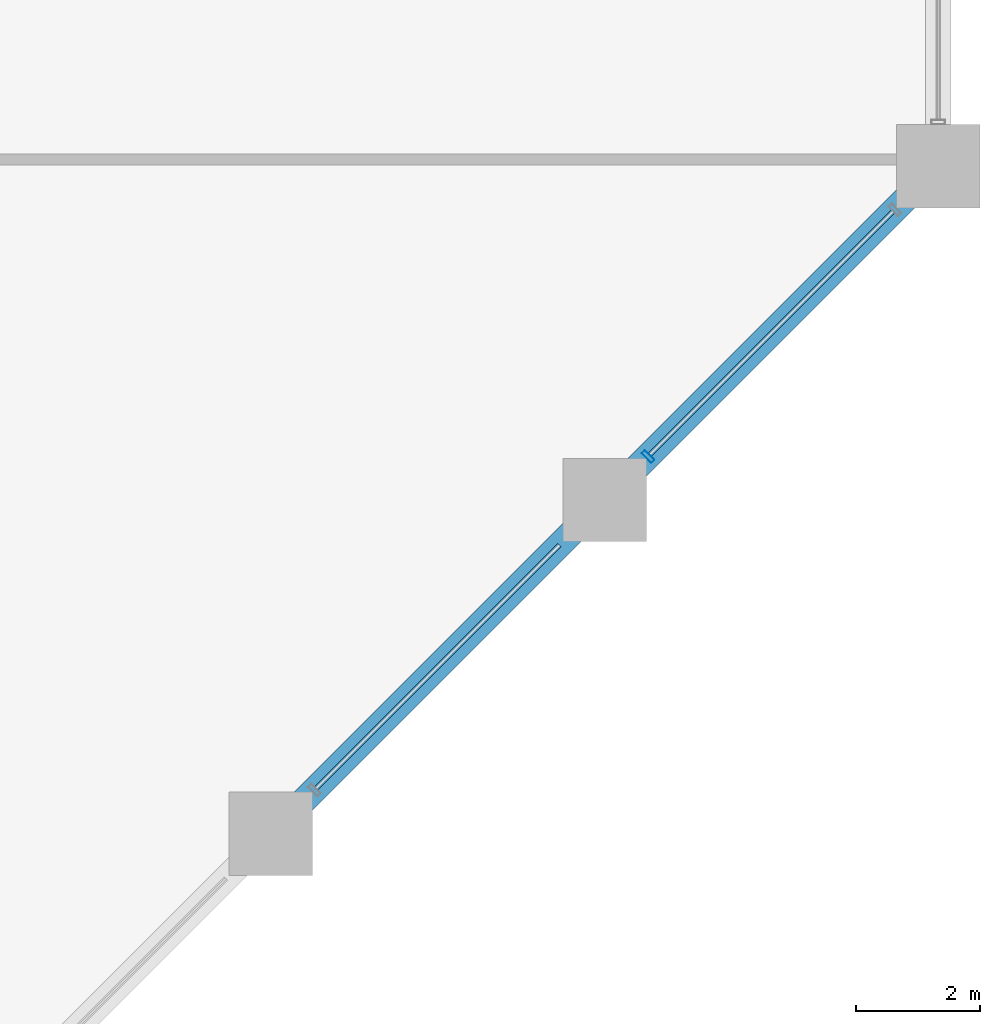
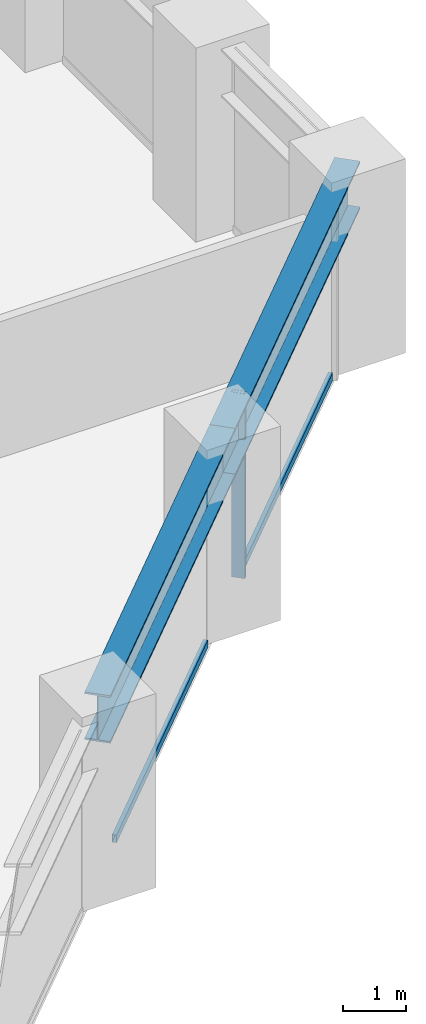
# One storey, part 9 of 25: 3 members, 2 beams, 1 element without a shape of its own.
"""IFC4 building model written with IfcOpenShell, lengths in metres."""

import ifcopenshell
import ifcopenshell.guid

model = None  # the IFC model being written
_history = None  # IfcOwnerHistory: only IFC2X3 demands one
_inside = {}  # id of a spatial element -> (the spatial element, [elements in it])
_under = {}  # id of a project, library or spatial element -> (it, [spatial elements below it])
_declared = {}  # id of a project -> (the project, [libraries it declares])
_typed = {}  # id of a type object -> (the type object, [elements of that type])
_made_of = {}  # id of a material, layer set ... -> (it, [elements and type objects made of it])


def new_model(schema):
    """Start an empty IFC model of exactly this schema.

    Asked for "IFC4X3", IfcOpenShell would pick the latest addendum, in which some entities
    have other attributes; the version numbers below select the first issue.
    IFC2X3 requires an IfcOwnerHistory on every rooted entity: one is made here for all.
    """
    global model, _history
    if schema == "IFC4X3":
        model = ifcopenshell.file(schema_version=(4, 3, 0, 0))
    else:
        model = ifcopenshell.file(schema=schema)
    _inside.clear()
    _under.clear()
    _declared.clear()
    _typed.clear()
    _made_of.clear()
    _history = None
    if model.schema == "IFC2X3":
        org = make("IfcOrganization", Name="unknown")
        user = make(
            "IfcPersonAndOrganization",
            ThePerson=make("IfcPerson", FamilyName="unknown"),
            TheOrganization=org,
        )
        app = make(
            "IfcApplication",
            ApplicationDeveloper=org,
            Version="unknown",
            ApplicationFullName="unknown",
            ApplicationIdentifier="unknown",
        )
        _history = make(
            "IfcOwnerHistory",
            OwningUser=user,
            OwningApplication=app,
            ChangeAction="ADDED",
            CreationDate=0,
        )
    return model


def make(cls, **values):
    """One entity of the class cls with the attributes given. An attribute that is None is left unset."""
    return model.create_entity(
        cls, **{name: value for name, value in values.items() if value is not None}
    )


def rooted(cls, **values):
    """An entity with a GlobalId (a new one), such as an element, a storey or a relation."""
    return make(cls, GlobalId=ifcopenshell.guid.new(), OwnerHistory=_history, **values)


def si_unit(unit_type, name, prefix=None):
    """IfcSIUnit, for example si_unit("LENGTHUNIT", "METRE", prefix="MILLI")."""
    return make("IfcSIUnit", UnitType=unit_type, Prefix=prefix, Name=name)


def assignment(units):
    """IfcUnitAssignment: the units of a project."""
    return None if units is None else make("IfcUnitAssignment", Units=units)


def point(xyz):
    """IfcCartesianPoint."""
    return None if xyz is None else make("IfcCartesianPoint", Coordinates=xyz)


def direction(xyz):
    """IfcDirection."""
    return None if xyz is None else make("IfcDirection", DirectionRatios=xyz)


def frame(location, z_axis=None, x_axis=None):
    """IfcAxis2Placement3D, a coordinate frame: its origin and axes. An axis left out is left unset."""
    return make(
        "IfcAxis2Placement3D",
        Location=point(location),
        Axis=direction(z_axis),
        RefDirection=direction(x_axis),
    )


def frame_2d(location, x_axis=None):
    """IfcAxis2Placement2D, a coordinate frame in the plane: its origin and x axis."""
    return make(
        "IfcAxis2Placement2D", Location=point(location), RefDirection=direction(x_axis)
    )


def origin():
    """The frame at (0, 0, 0) with its axes left unset."""
    return frame((0.0, 0.0, 0.0))


def origin_2d():
    """The frame at (0, 0) in the plane with its x axis left unset."""
    return frame_2d((0.0, 0.0))


def place(relative_to, where):
    """IfcLocalPlacement: puts the frame where relative to a parent placement (None: the world)."""
    return make(
        "IfcLocalPlacement", PlacementRelTo=relative_to, RelativePlacement=where
    )


def context(
    kind, dimensions, precision=None, world=None, true_north=None, identifier=None
):
    """IfcGeometricRepresentationContext, for example the 3D "Model" context."""
    return make(
        "IfcGeometricRepresentationContext",
        ContextIdentifier=identifier,
        ContextType=kind,
        CoordinateSpaceDimension=dimensions,
        Precision=precision,
        WorldCoordinateSystem=world,
        TrueNorth=true_north,
    )


def subcontext(parent, identifier, kind, view, scale=None):
    """IfcGeometricRepresentationSubContext, for example "Body" below "Model"."""
    return make(
        "IfcGeometricRepresentationSubContext",
        ContextIdentifier=identifier,
        ContextType=kind,
        ParentContext=parent,
        TargetScale=scale,
        TargetView=view,
    )


def project(units=None, contexts=None):
    """IfcProject with its units and contexts."""
    return rooted(
        "IfcProject",
        Name="project",
        RepresentationContexts=contexts,
        UnitsInContext=assignment(units),
    )


def spatial(cls, under=None, at=None, **own):
    """A site, building, storey or space (cls), placed at a placement, below another one or the project."""
    s = rooted(cls, ObjectPlacement=at, **own)
    if under is not None:
        _under.setdefault(under.id(), (under, []))[1].append(s)
    return s


def profile(cls, at=None, kind="AREA", **sizes):
    """A parametric profile (cls). Its sizes go by their IFC names, for example OverallWidth=200.0."""
    return make(cls, ProfileType=kind, Position=at, **sizes)


def hollow_rectangle(**sizes):
    """IfcRectangleHollowProfileDef."""
    return profile("IfcRectangleHollowProfileDef", **sizes)


def i_section(**sizes):
    """IfcIShapeProfileDef."""
    return profile("IfcIShapeProfileDef", **sizes)


def extrude(swept, where, along, depth):
    """IfcExtrudedAreaSolid: the profile swept, set in the frame where, extruded along a direction by depth."""
    return make(
        "IfcExtrudedAreaSolid",
        SweptArea=swept,
        Position=where,
        ExtrudedDirection=direction(along),
        Depth=depth,
    )


def shape(context_of_items, identifier, shape_type, items):
    """IfcShapeRepresentation: the items that make up one representation, for example the "Body"."""
    return make(
        "IfcShapeRepresentation",
        ContextOfItems=context_of_items,
        RepresentationIdentifier=identifier,
        RepresentationType=shape_type,
        Items=items,
    )


def material(Name=None, Category=None):
    """IfcMaterial."""
    return make("IfcMaterial", Name=Name, Category=Category)


def layer(
    of_material, thickness, ventilated=None, Name=None, Category=None, Priority=None
):
    """IfcMaterialLayer: one layer of a wall or slab, of a material (None: an air gap)."""
    return make(
        "IfcMaterialLayer",
        Material=of_material,
        LayerThickness=thickness,
        IsVentilated=ventilated,
        Name=Name,
        Category=Category,
        Priority=Priority,
    )


def layer_set(layers, Name=None):
    """IfcMaterialLayerSet."""
    return make("IfcMaterialLayerSet", MaterialLayers=layers, LayerSetName=Name)


def material_profile(
    of_material, cross_section, Name=None, Category=None, Priority=None
):
    """IfcMaterialProfile: a cross section and its material."""
    return make(
        "IfcMaterialProfile",
        Name=Name,
        Material=of_material,
        Profile=cross_section,
        Priority=Priority,
        Category=Category,
    )


def profile_set(profiles, Name=None, composite=None):
    """IfcMaterialProfileSet."""
    return make(
        "IfcMaterialProfileSet",
        Name=Name,
        MaterialProfiles=profiles,
        CompositeProfile=composite,
    )


def made_of(thing, what):
    """Note that an element or type object is made of a material, layer set ...; save() writes the relation."""
    if what is not None:
        _made_of.setdefault(what.id(), (what, []))[1].append(thing)
    return thing


def type_object(cls, material=None, **own):
    """A type object (cls), such as IfcWallType, which elements share."""
    return made_of(rooted(cls, **own), material)


def element(
    cls,
    number,
    at=None,
    inside=None,
    cuts=None,
    type_object=None,
    material=None,
    context=None,
    identifier="Body",
    shape_type=None,
    held_by="IfcProductDefinitionShape",
    body=None,
    shapes=None,
    **own,
):
    """One element of the class cls, such as IfcWall. Its Tag is "e" and its number.

    at: its placement. inside: the storey or other place that contains it. cuts: it is an
    opening in that element (IfcRelVoidsElement). A single representation is given by context,
    identifier, shape_type and body (its items); several are given by shapes. held_by: the class
    of the entity that holds the representations. save() writes the other relations.
    """
    e = rooted(cls, Tag="e%d" % number, ObjectPlacement=at, **own)
    if body is not None:
        shapes = [shape(context, identifier, shape_type, body)]
    if shapes is not None:
        e.Representation = make(held_by, Representations=shapes)
    if inside is not None:
        _inside.setdefault(inside.id(), (inside, []))[1].append(e)
    if cuts is not None:
        rooted(
            "IfcRelVoidsElement", RelatingBuildingElement=cuts, RelatedOpeningElement=e
        )
    if type_object is not None:
        _typed.setdefault(type_object.id(), (type_object, []))[1].append(e)
    return made_of(e, material)


def aggregate(whole, parts):
    """IfcRelAggregates: a whole, such as a stair, and the parts it consists of."""
    return rooted("IfcRelAggregates", RelatingObject=whole, RelatedObjects=parts)


def save(model, path):
    """Write the relations noted so far, then the file.

    IfcRelAggregates (storeys below a building ...), IfcRelContainedInSpatialStructure (elements
    in a storey), IfcRelDefinesByType, IfcRelAssociatesMaterial and IfcRelDeclares: one each for
    every whole, place, type object, material and project.
    """
    for whole, parts in _under.values():
        aggregate(whole, parts)
    for where, things in _inside.values():
        rooted(
            "IfcRelContainedInSpatialStructure",
            RelatedElements=things,
            RelatingStructure=where,
        )
    for kind, things in _typed.values():
        rooted("IfcRelDefinesByType", RelatedObjects=things, RelatingType=kind)
    for what, things in _made_of.values():
        rooted("IfcRelAssociatesMaterial", RelatedObjects=things, RelatingMaterial=what)
    for by, libraries in _declared.values():
        rooted("IfcRelDeclares", RelatingContext=by, RelatedDefinitions=libraries)
    model.write(path)


model = new_model("IFC4")

# Units and contexts
model_context = context("Model", 3, precision=1e-05, world=origin(), true_north=direction((0.0, 1.0)))
body_context = subcontext(model_context, "Body", "Model", "MODEL_VIEW")
ifc_project = project(units=[si_unit("LENGTHUNIT", "METRE"), si_unit("AREAUNIT", "SQUARE_METRE"), si_unit("VOLUMEUNIT", "CUBIC_METRE"), si_unit("PLANEANGLEUNIT", "RADIAN"), si_unit("MASSUNIT", "GRAM", prefix="KILO")], contexts=[model_context])

# Site, building, storey
site_placement = place(None, origin())
site = spatial("IfcSite", under=ifc_project, at=site_placement, CompositionType="ELEMENT")
building_placement = place(site_placement, origin())
building = spatial("IfcBuilding", under=site, at=building_placement, Name="Surkhivell Harbour Commons", CompositionType="ELEMENT")
storey_placement = place(building_placement, frame((0.0, 0.0, 45.0)))
storey = spatial("IfcBuildingStorey", under=building, at=storey_placement, Name="L11", CompositionType="ELEMENT", Elevation=45.0)

# Beams
ifc_material_1 = material(Name="Steel S460", Category="steel")
ifc_material_profile_1 = material_profile(ifc_material_1, i_section(OverallWidth=0.419921875, OverallDepth=0.9208984375, WebThickness=0.021484375, FlangeThickness=0.03662109375, at=origin_2d()), Name="UB914x419x388")
ifc_profile_set_1 = profile_set([ifc_material_profile_1], Name="Steel S460")
beam_type = type_object("IfcBeamType", Name="BM-SPN-914A", PredefinedType="SPANDREL", material=ifc_profile_set_1)
for number, where, z_axis, x_axis, name in (
    (1, (21.60009765625, -4.300048828125, 3.109619140625), (0.707090796496, 0.707122765516, 0.0), (-0.707122765516, 0.707090796496, 0.0), "L11 Tube Spandrel (21.6,-4.3)"),
    (2, (27.0, 1.10009765625, 3.109619140625), (0.707106781187, 0.707106781187, 0.0), (-0.707106781187, 0.707106781187, 0.0), "L11 Tube Spandrel (27.0,1.1)"),
):
    element("IfcBeam", number, at=place(storey_placement, frame(where, z_axis=z_axis, x_axis=x_axis)), inside=storey, type_object=beam_type, Name=name, PredefinedType="SPANDREL", context=body_context, shape_type="SweptSolid", body=[
        extrude(i_section(OverallWidth=0.419921875, OverallDepth=0.9208984375, WebThickness=0.021484375, FlangeThickness=0.03662109375, at=origin_2d()), origin(), (0.0, 0.0, 1.0), 7.63671875),
    ])

# Curtain wall, members
ifc_material_2 = material(Name="Anodised pale-metal aluminium and insulated glazing", Category="aluminium")
ifc_layer = layer(ifc_material_2, 0.219970703125)
ifc_layer_set = layer_set([ifc_layer], Name="Anodised pale-metal aluminium and insulated glazing")
curtain_wall_type = type_object("IfcCurtainWallType", Name="CW-SYS-Z1", PredefinedType="NOTDEFINED", material=ifc_layer_set)
curtain_wall_placement = place(storey_placement, origin())
curtain_wall = element("IfcCurtainWall", 3, at=curtain_wall_placement, inside=storey, type_object=curtain_wall_type, Name="L11 Curtain Wall CW-L11-E01", PredefinedType="NOTDEFINED")
ifc_material_3 = material(Name="Anodised pale-metal aluminium alloy 6063-T6", Category="aluminium")
ifc_material_profile_2 = material_profile(ifc_material_3, hollow_rectangle(XDim=0.074951171875, YDim=0.219970703125, WallThickness=0.00390625, at=origin_2d()), Name="ALU-MULL-75x220")
ifc_profile_set_2 = profile_set([ifc_material_profile_2], Name="Anodised pale-metal aluminium alloy 6063-T6")
member_type_1 = type_object("IfcMemberType", Name="CWM-220", PredefinedType="MULLION", material=ifc_profile_set_2)
member_1_placement = place(storey_placement, frame((27.703369140625, 1.80322265625, 0.0), z_axis=(0.0, 0.0, 1.0), x_axis=(0.707106781187, 0.707106781187, 0.0)))
member_1 = element("IfcMember", 4, at=member_1_placement, type_object=member_type_1, Name="CW-Z1 mullion 6", PredefinedType="MULLION", context=body_context, shape_type="SweptSolid", body=[
    extrude(hollow_rectangle(XDim=0.074951171875, YDim=0.219970703125, WallThickness=0.00390625, at=origin_2d()), origin(), (0.0, 0.0, 1.0), 3.570068359375),
])
ifc_material_profile_3 = material_profile(ifc_material_3, hollow_rectangle(XDim=0.074951171875, YDim=0.14990234375, WallThickness=0.00341796875, at=origin_2d()), Name="ALU-TRAN-75x150")
ifc_profile_set_3 = profile_set([ifc_material_profile_3], Name="Anodised pale-metal aluminium alloy 6063-T6")
member_type_2 = type_object("IfcMemberType", Name="CWT-150", PredefinedType="USERDEFINED", material=ifc_profile_set_3)
member_2_placement = place(storey_placement, frame((22.329833984375, -3.570068359375, 0.074951171875), z_axis=(0.70712868694, 0.707084874754, 0.0), x_axis=(-0.707084874754, 0.70712868694, 0.0)))
member_2 = element("IfcMember", 5, at=member_2_placement, type_object=member_type_2, Name="CW-Z1 transom 5.1", ObjectType="TRANSOM", PredefinedType="USERDEFINED", context=body_context, shape_type="SweptSolid", body=[
    extrude(hollow_rectangle(XDim=0.074951171875, YDim=0.14990234375, WallThickness=0.00341796875, at=origin_2d()), origin(), (0.0, 0.0, 1.0), 5.572509765625),
])
member_3_placement = place(storey_placement, frame((27.729736328125, 1.829833984375, 0.074951171875), z_axis=(0.707106781187, 0.707106781187, 0.0), x_axis=(-0.707106781187, 0.707106781187, 0.0)))
member_3 = element("IfcMember", 6, at=member_3_placement, type_object=member_type_2, Name="CW-Z1 transom 6.1", ObjectType="TRANSOM", PredefinedType="USERDEFINED", context=body_context, shape_type="SweptSolid", body=[
    extrude(hollow_rectangle(XDim=0.074951171875, YDim=0.14990234375, WallThickness=0.00341796875, at=origin_2d()), origin(), (0.0, 0.0, 1.0), 5.572509765625),
])
aggregate(curtain_wall, [member_2, member_1, member_3])

save(model, "model.ifc")
